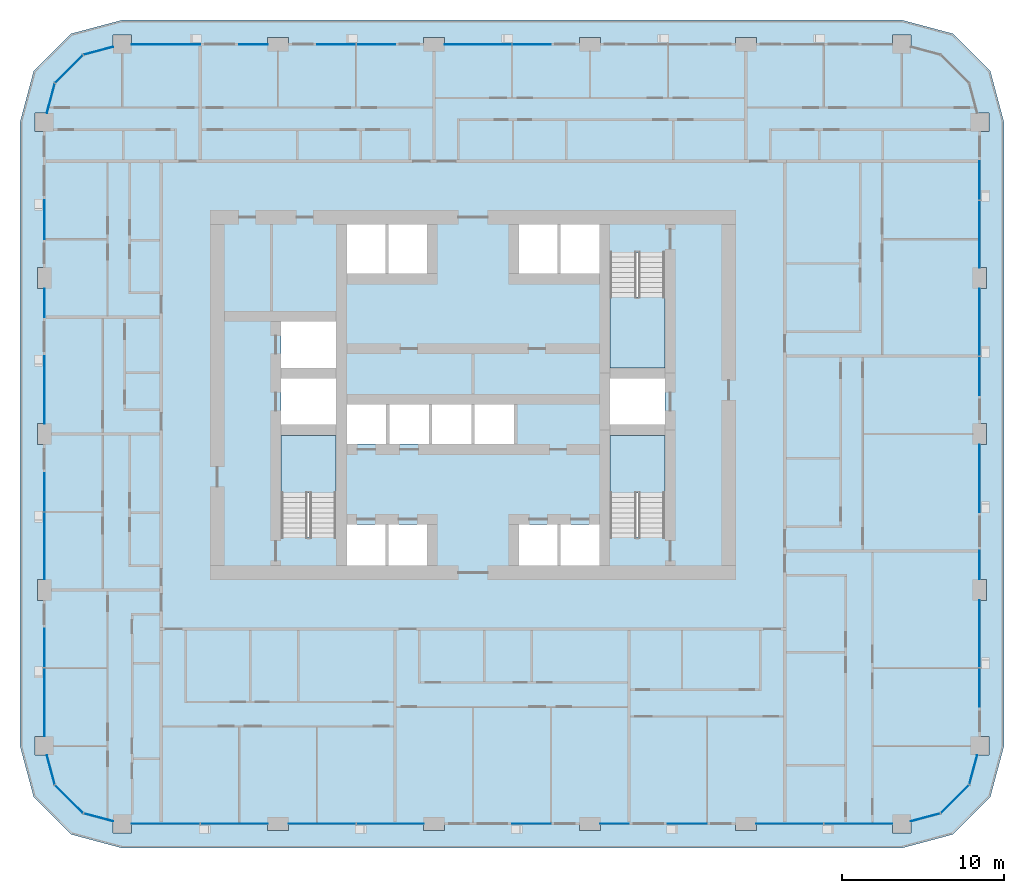
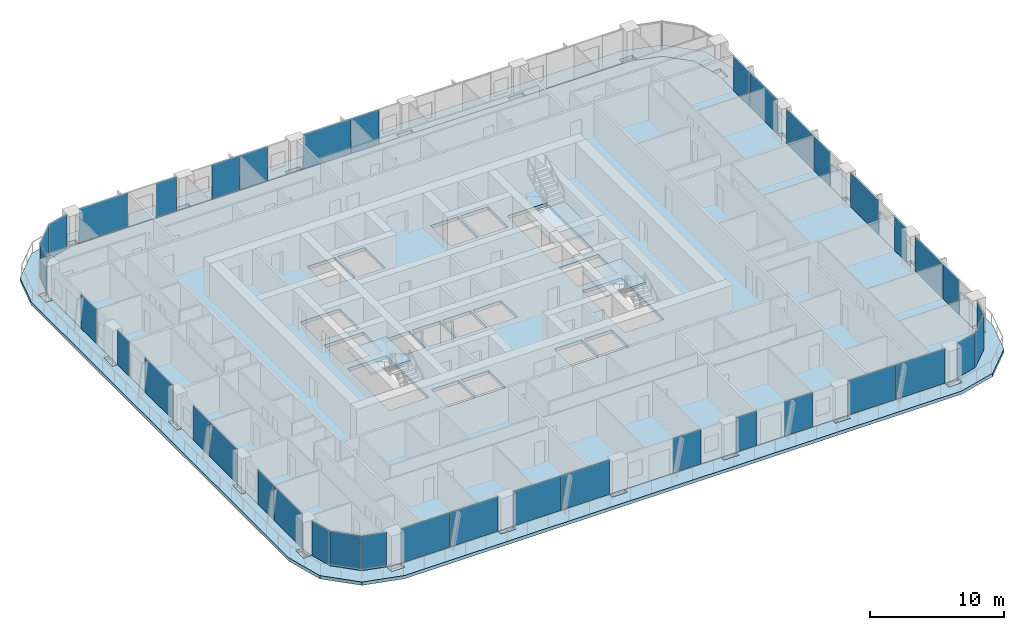
# One storey, part 7 of 22: 39 plates, 5 slabs, 22 elements without a shape of their own.
"""IFC4 building model written with IfcOpenShell, lengths in metres."""

from ifc_helpers import new_model, si_unit, direction, frame, origin, origin_2d, place, context, subcontext, project, spatial, polyline, rectangle, outline, extrude, material, layer, layer_set, type_object, element, aggregate, save


model = new_model("IFC4")

# Units and contexts
model_context = context("Model", 3, precision=1e-05, world=origin(), true_north=direction((0.0, 1.0)))
body_context = subcontext(model_context, "Body", "Model", "MODEL_VIEW")
ifc_project = project(units=[si_unit("LENGTHUNIT", "METRE"), si_unit("AREAUNIT", "SQUARE_METRE"), si_unit("VOLUMEUNIT", "CUBIC_METRE"), si_unit("PLANEANGLEUNIT", "RADIAN"), si_unit("MASSUNIT", "GRAM", prefix="KILO")], contexts=[model_context])

# Site, building, storey
site_placement = place(None, origin())
site = spatial("IfcSite", under=ifc_project, at=site_placement, CompositionType="ELEMENT")
building_placement = place(site_placement, origin())
building = spatial("IfcBuilding", under=site, at=building_placement, Name="Madar Terraces", CompositionType="ELEMENT")
storey_placement = place(building_placement, frame((0.0, 0.0, 62.800048828125)))
storey = spatial("IfcBuildingStorey", under=building, at=storey_placement, Name="L15", CompositionType="ELEMENT", Elevation=62.800048828125)

# Slabs
ifc_material_1 = material(Name="Concrete C50/60", Category="concrete")
ifc_layer_1 = layer(ifc_material_1, 0.300048828125)
ifc_layer_set_1 = layer_set([ifc_layer_1], Name="Balcony band 300")
slab_type_1 = type_object("IfcSlabType", Name="Balcony band 300", PredefinedType="FLOOR", material=ifc_layer_set_1)
slab_1_placement = place(storey_placement, frame((0.0, 0.0, -0.300048828125)))
element("IfcSlab", 1, at=slab_1_placement, inside=storey, type_object=slab_type_1, Name="Balcony band", PredefinedType="FLOOR", context=body_context, shape_type="SweptSolid", body=[
    extrude(outline(polyline([(9.60009765625, -1.5), (6.449951171875, -0.656005859375), (4.14404296875, 1.64990234375), (3.300048828125, 4.800048828125), (3.300048828125, 43.199951171875), (4.14404296875, 46.35009765625), (6.449951171875, 48.656005859375), (9.60009765625, 49.5), (57.60009765625, 49.5), (60.75, 48.656005859375), (63.055908203125, 46.35009765625), (63.89990234375, 43.199951171875), (63.89990234375, 4.800048828125), (63.055908203125, 1.64990234375), (60.75, -0.656005859375), (57.60009765625, -1.5), (9.60009765625, -1.5)]), holes=[polyline([(10.175048828125, -0.574951171875), (10.175048828125, 0.0), (18.550048828125, 0.0), (18.550048828125, -0.425048828125), (19.85009765625, -0.425048828125), (19.85009765625, 0.0), (28.14990234375, 0.0), (28.14990234375, -0.425048828125), (29.449951171875, -0.425048828125), (29.449951171875, 0.0), (37.75, 0.0), (37.75, -0.425048828125), (39.050048828125, -0.425048828125), (39.050048828125, 0.0), (47.35009765625, 0.0), (47.35009765625, -0.425048828125), (48.64990234375, -0.425048828125), (48.64990234375, 0.0), (57.02490234375, 0.0), (57.02490234375, -0.574951171875), (58.175048828125, -0.574951171875), (58.175048828125, 0.154052734375), (60.0, 0.64306640625), (61.7568359375, 2.39990234375), (62.245849609375, 4.22509765625), (62.97509765625, 4.22509765625), (62.97509765625, 5.375), (62.39990234375, 5.375), (62.39990234375, 13.75), (62.824951171875, 13.75), (62.824951171875, 15.050048828125), (62.39990234375, 15.050048828125), (62.39990234375, 23.35009765625), (62.824951171875, 23.35009765625), (62.824951171875, 24.64990234375), (62.39990234375, 24.64990234375), (62.39990234375, 32.949951171875), (62.824951171875, 32.949951171875), (62.824951171875, 34.25), (62.39990234375, 34.25), (62.39990234375, 42.625), (62.97509765625, 42.625), (62.97509765625, 43.77490234375), (62.245849609375, 43.77490234375), (61.7568359375, 45.60009765625), (60.0, 47.35693359375), (58.175048828125, 47.845947265625), (58.175048828125, 48.574951171875), (57.02490234375, 48.574951171875), (57.02490234375, 48.0), (48.64990234375, 48.0), (48.64990234375, 48.425048828125), (47.35009765625, 48.425048828125), (47.35009765625, 48.0), (39.050048828125, 48.0), (39.050048828125, 48.425048828125), (37.75, 48.425048828125), (37.75, 48.0), (29.449951171875, 48.0), (29.449951171875, 48.425048828125), (28.14990234375, 48.425048828125), (28.14990234375, 48.0), (19.85009765625, 48.0), (19.85009765625, 48.425048828125), (18.550048828125, 48.425048828125), (18.550048828125, 48.0), (10.175048828125, 48.0), (10.175048828125, 48.574951171875), (9.02490234375, 48.574951171875), (9.02490234375, 47.845947265625), (7.199951171875, 47.35693359375), (5.443115234375, 45.60009765625), (4.9541015625, 43.77490234375), (4.22509765625, 43.77490234375), (4.22509765625, 42.625), (4.800048828125, 42.625), (4.800048828125, 34.25), (4.375, 34.25), (4.375, 32.949951171875), (4.800048828125, 32.949951171875), (4.800048828125, 24.64990234375), (4.375, 24.64990234375), (4.375, 23.35009765625), (4.800048828125, 23.35009765625), (4.800048828125, 15.050048828125), (4.375, 15.050048828125), (4.375, 13.75), (4.800048828125, 13.75), (4.800048828125, 5.375), (4.22509765625, 5.375), (4.22509765625, 4.22509765625), (4.9541015625, 4.22509765625), (5.443115234375, 2.39990234375), (7.199951171875, 0.64306640625), (9.02490234375, 0.154052734375), (9.02490234375, -0.574951171875), (10.175048828125, -0.574951171875)])]), origin(), (0.0, 0.0, 1.0), 0.300048828125),
])
ifc_material_2 = material(Name="Concrete C50/60", Category="concrete")
ifc_layer_2 = layer(ifc_material_2, 0.300048828125)
ifc_layer_set_2 = layer_set([ifc_layer_2], Name="FS2 PT flat slab 300")
slab_type_2 = type_object("IfcSlabType", Name="FS2 PT flat slab 300", PredefinedType="FLOOR", material=ifc_layer_set_2)
slab_2_placement = place(storey_placement, frame((0.0, 0.0, -0.300048828125)))
element("IfcSlab", 2, at=slab_2_placement, inside=storey, type_object=slab_type_2, Name="Floor slab L15 (1)", PredefinedType="FLOOR", context=body_context, shape_type="SweptSolid", body=[
    extrude(outline(polyline([(57.60009765625, 0.0), (60.0, 0.64306640625), (61.7568359375, 2.39990234375), (62.39990234375, 4.800048828125), (62.39990234375, 43.199951171875), (61.7568359375, 45.60009765625), (60.0, 47.35693359375), (57.60009765625, 48.0), (9.60009765625, 48.0), (7.199951171875, 47.35693359375), (5.443115234375, 45.60009765625), (4.800048828125, 43.199951171875), (4.800048828125, 4.800048828125), (5.443115234375, 2.39990234375), (7.199951171875, 0.64306640625), (9.60009765625, 0.0), (57.60009765625, 0.0)]), holes=[polyline([(23.425048828125, 15.89990234375), (23.425048828125, 18.425048828125), (25.800048828125, 18.425048828125), (25.800048828125, 15.89990234375), (23.425048828125, 15.89990234375)]), polyline([(26.0, 15.89990234375), (26.0, 18.425048828125), (28.375, 18.425048828125), (28.375, 15.89990234375), (26.0, 15.89990234375)]), polyline([(19.375, 17.64990234375), (19.375, 23.925048828125), (22.77490234375, 23.925048828125), (22.77490234375, 17.64990234375), (19.375, 17.64990234375)]), polyline([(23.425048828125, 23.375), (23.425048828125, 25.824951171875), (25.85009765625, 25.824951171875), (25.85009765625, 23.375), (23.425048828125, 23.375)]), polyline([(26.050048828125, 23.375), (26.050048828125, 25.824951171875), (28.47509765625, 25.824951171875), (28.47509765625, 23.375), (26.050048828125, 23.375)]), polyline([(19.375, 24.574951171875), (19.375, 27.425048828125), (22.77490234375, 27.425048828125), (22.77490234375, 24.574951171875), (19.375, 24.574951171875)]), polyline([(19.375, 28.074951171875), (19.375, 30.925048828125), (22.77490234375, 30.925048828125), (22.77490234375, 28.074951171875), (19.375, 28.074951171875)]), polyline([(23.425048828125, 36.89990234375), (25.800048828125, 36.89990234375), (25.800048828125, 33.875), (23.425048828125, 33.875), (23.425048828125, 36.89990234375)]), polyline([(26.0, 36.89990234375), (28.375, 36.89990234375), (28.375, 33.875), (26.0, 33.875), (26.0, 36.89990234375)]), polyline([(34.02490234375, 15.89990234375), (34.02490234375, 18.425048828125), (36.39990234375, 18.425048828125), (36.39990234375, 15.89990234375), (34.02490234375, 15.89990234375)]), polyline([(36.60009765625, 15.89990234375), (36.60009765625, 18.425048828125), (38.97509765625, 18.425048828125), (38.97509765625, 15.89990234375), (36.60009765625, 15.89990234375)]), polyline([(39.625, 17.64990234375), (39.625, 23.925048828125), (43.02490234375, 23.925048828125), (43.02490234375, 17.64990234375), (39.625, 17.64990234375)]), polyline([(28.675048828125, 23.375), (28.675048828125, 25.824951171875), (31.10009765625, 25.824951171875), (31.10009765625, 23.375), (28.675048828125, 23.375)]), polyline([(31.300048828125, 23.375), (31.300048828125, 25.824951171875), (33.72509765625, 25.824951171875), (33.72509765625, 23.375), (31.300048828125, 23.375)]), polyline([(39.625, 24.574951171875), (39.625, 27.425048828125), (43.02490234375, 27.425048828125), (43.02490234375, 24.574951171875), (39.625, 24.574951171875)]), polyline([(39.625, 28.074951171875), (39.625, 35.14990234375), (43.02490234375, 35.14990234375), (43.02490234375, 28.074951171875), (39.625, 28.074951171875)]), polyline([(34.02490234375, 36.89990234375), (36.39990234375, 36.89990234375), (36.39990234375, 33.875), (34.02490234375, 33.875), (34.02490234375, 36.89990234375)]), polyline([(36.60009765625, 36.89990234375), (38.97509765625, 36.89990234375), (38.97509765625, 33.875), (36.60009765625, 33.875), (36.60009765625, 36.89990234375)])]), origin(), (0.0, 0.0, 1.0), 0.300048828125),
])

# Curtain wall, plates
ifc_material_3 = material(Name="Glass, ceramic frit dark grey, with black aluminium frame", Category="aluminium")
ifc_layer_3 = layer(ifc_material_3, 0.199951171875)
ifc_layer_set_3 = layer_set([ifc_layer_3], Name="Facade curtain wall, fritted glass")
curtain_wall_type = type_object("IfcCurtainWallType", Name="Facade curtain wall, fritted glass", PredefinedType="NOTDEFINED", material=ifc_layer_set_3)
curtain_wall_1_placement = place(storey_placement, origin())
curtain_wall_1 = element("IfcCurtainWall", 3, at=curtain_wall_1_placement, inside=storey, type_object=curtain_wall_type, Name="Outer skin curtain wall south bay 1", PredefinedType="NOTDEFINED")
ifc_material_4 = material(Name="Glass, ceramic frit dark grey", Category="glass")
ifc_layer_4 = layer(ifc_material_4, 0.028076171875)
ifc_layer_set_4 = layer_set([ifc_layer_4], Name="Facade glass panel 28")
plate_type = type_object("IfcPlateType", Name="Facade glass panel 28", PredefinedType="CURTAIN_PANEL", material=ifc_layer_set_4)
plate_1_placement = place(storey_placement, frame((12.2724609375, 0.0, 0.0), z_axis=(0.0, 0.0, 1.0), x_axis=(1.0, 0.0, 0.0)))
plate_1 = element("IfcPlate", 4, at=plate_1_placement, type_object=plate_type, Name="Panel 1", PredefinedType="CURTAIN_PANEL", context=body_context, shape_type="SweptSolid", body=[
    extrude(rectangle(XDim=4.195068359375, YDim=0.028076171875, at=origin_2d()), origin(), (0.0, 0.0, 1.0), 3.139892578125),
])
plate_2_placement = place(storey_placement, frame((16.489990234375, 0.0, 0.0), z_axis=(0.0, 0.0, 1.0), x_axis=(1.0, 0.0, 0.0)))
plate_2 = element("IfcPlate", 5, at=plate_2_placement, type_object=plate_type, Name="Panel 2", PredefinedType="CURTAIN_PANEL", context=body_context, shape_type="SweptSolid", body=[
    extrude(rectangle(XDim=4.1201171875, YDim=0.028076171875, at=origin_2d()), origin(), (0.0, 0.0, 1.0), 3.139892578125),
])
aggregate(curtain_wall_1, [plate_1, plate_2])

curtain_wall_2_placement = place(storey_placement, origin())
curtain_wall_2 = element("IfcCurtainWall", 6, at=curtain_wall_2_placement, inside=storey, type_object=curtain_wall_type, Name="Outer skin curtain wall south bay 2", PredefinedType="NOTDEFINED")
plate_3_placement = place(storey_placement, frame((21.909912109375, 0.0, 0.0), z_axis=(0.0, 0.0, 1.0), x_axis=(1.0, 0.0, 0.0)))
plate_3 = element("IfcPlate", 7, at=plate_3_placement, type_object=plate_type, Name="Panel 1", PredefinedType="CURTAIN_PANEL", context=body_context, shape_type="SweptSolid", body=[
    extrude(rectangle(XDim=4.1201171875, YDim=0.028076171875, at=origin_2d()), origin(), (0.0, 0.0, 1.0), 3.139892578125),
])
plate_4_placement = place(storey_placement, frame((26.090087890625, 0.0, 0.0), z_axis=(0.0, 0.0, 1.0), x_axis=(1.0, 0.0, 0.0)))
plate_4 = element("IfcPlate", 8, at=plate_4_placement, type_object=plate_type, Name="Panel 2", PredefinedType="CURTAIN_PANEL", context=body_context, shape_type="SweptSolid", body=[
    extrude(rectangle(XDim=4.1201171875, YDim=0.028076171875, at=origin_2d()), origin(), (0.0, 0.0, 1.0), 3.139892578125),
])
aggregate(curtain_wall_2, [plate_3, plate_4])

# Curtain wall, plate
curtain_wall_3_placement = place(storey_placement, origin())
curtain_wall_3 = element("IfcCurtainWall", 9, at=curtain_wall_3_placement, inside=storey, type_object=curtain_wall_type, Name="Outer skin curtain wall south bay 3", PredefinedType="NOTDEFINED")
plate_5_placement = place(storey_placement, frame((34.800048828125, 0.0, 0.0), z_axis=(0.0, 0.0, 1.0), x_axis=(1.0, 0.0, 0.0)))
plate_5 = element("IfcPlate", 10, at=plate_5_placement, type_object=plate_type, Name="Panel 1", PredefinedType="CURTAIN_PANEL", context=body_context, shape_type="SweptSolid", body=[
    extrude(rectangle(XDim=2.39990234375, YDim=0.028076171875, at=origin_2d()), origin(), (0.0, 0.0, 1.0), 3.139892578125),
])
aggregate(curtain_wall_3, [plate_5])

# Curtain wall, plates
curtain_wall_4_placement = place(storey_placement, origin())
curtain_wall_4 = element("IfcCurtainWall", 11, at=curtain_wall_4_placement, inside=storey, type_object=curtain_wall_type, Name="Outer skin curtain wall south bay 4", PredefinedType="NOTDEFINED")
plate_6_placement = place(storey_placement, frame((39.925048828125, 0.0, 0.0), z_axis=(0.0, 0.0, 1.0), x_axis=(1.0, 0.0, 0.0)))
plate_6 = element("IfcPlate", 12, at=plate_6_placement, type_object=plate_type, Name="Panel 1", PredefinedType="CURTAIN_PANEL", context=body_context, shape_type="SweptSolid", body=[
    extrude(rectangle(XDim=1.75, YDim=0.028076171875, at=origin_2d()), origin(), (0.0, 0.0, 1.0), 3.139892578125),
])
plate_7_placement = place(storey_placement, frame((44.39990234375, 0.0, 0.0), z_axis=(0.0, 0.0, 1.0), x_axis=(1.0, 0.0, 0.0)))
plate_7 = element("IfcPlate", 13, at=plate_7_placement, type_object=plate_type, Name="Panel 2", PredefinedType="CURTAIN_PANEL", context=body_context, shape_type="SweptSolid", body=[
    extrude(rectangle(XDim=2.39990234375, YDim=0.028076171875, at=origin_2d()), origin(), (0.0, 0.0, 1.0), 3.139892578125),
])
aggregate(curtain_wall_4, [plate_6, plate_7])

curtain_wall_5_placement = place(storey_placement, origin())
curtain_wall_5 = element("IfcCurtainWall", 14, at=curtain_wall_5_placement, inside=storey, type_object=curtain_wall_type, Name="Outer skin curtain wall south bay 5", PredefinedType="NOTDEFINED")
plate_8_placement = place(storey_placement, frame((50.7099609375, 0.0, 0.0), z_axis=(0.0, 0.0, 1.0), x_axis=(1.0, 0.0, 0.0)))
plate_8 = element("IfcPlate", 15, at=plate_8_placement, type_object=plate_type, Name="Panel 1", PredefinedType="CURTAIN_PANEL", context=body_context, shape_type="SweptSolid", body=[
    extrude(rectangle(XDim=4.1201171875, YDim=0.028076171875, at=origin_2d()), origin(), (0.0, 0.0, 1.0), 3.139892578125),
])
plate_9_placement = place(storey_placement, frame((54.927490234375, 0.0, 0.0), z_axis=(0.0, 0.0, 1.0), x_axis=(1.0, 0.0, 0.0)))
plate_9 = element("IfcPlate", 16, at=plate_9_placement, type_object=plate_type, Name="Panel 2", PredefinedType="CURTAIN_PANEL", context=body_context, shape_type="SweptSolid", body=[
    extrude(rectangle(XDim=4.195068359375, YDim=0.028076171875, at=origin_2d()), origin(), (0.0, 0.0, 1.0), 3.139892578125),
])
aggregate(curtain_wall_5, [plate_8, plate_9])

curtain_wall_6_placement = place(storey_placement, origin())
curtain_wall_6 = element("IfcCurtainWall", 17, at=curtain_wall_6_placement, inside=storey, type_object=curtain_wall_type, Name="Outer skin curtain wall east bay 1", PredefinedType="NOTDEFINED")
plate_10_placement = place(storey_placement, frame((62.39990234375, 8.385009765625, 0.0), z_axis=(0.0, 0.0, 1.0), x_axis=(0.0, 1.0, 0.0)))
plate_10 = element("IfcPlate", 18, at=plate_10_placement, type_object=plate_type, Name="Panel 1", PredefinedType="CURTAIN_PANEL", context=body_context, shape_type="SweptSolid", body=[
    extrude(rectangle(XDim=2.3701171875, YDim=0.028076171875, at=origin_2d()), origin(), (0.0, 0.0, 1.0), 3.139892578125),
])
plate_11_placement = place(storey_placement, frame((62.39990234375, 11.68994140625, 0.0), z_axis=(0.0, 0.0, 1.0), x_axis=(0.0, 1.0, 0.0)))
plate_11 = element("IfcPlate", 19, at=plate_11_placement, type_object=plate_type, Name="Panel 2", PredefinedType="CURTAIN_PANEL", context=body_context, shape_type="SweptSolid", body=[
    extrude(rectangle(XDim=4.1201171875, YDim=0.028076171875, at=origin_2d()), origin(), (0.0, 0.0, 1.0), 3.139892578125),
])
aggregate(curtain_wall_6, [plate_10, plate_11])

curtain_wall_7_placement = place(storey_placement, origin())
curtain_wall_7 = element("IfcCurtainWall", 20, at=curtain_wall_7_placement, inside=storey, type_object=curtain_wall_type, Name="Outer skin curtain wall east bay 2", PredefinedType="NOTDEFINED")
plate_12_placement = place(storey_placement, frame((62.39990234375, 15.925048828125, 0.0), z_axis=(0.0, 0.0, 1.0), x_axis=(0.0, 1.0, 0.0)))
plate_12 = element("IfcPlate", 21, at=plate_12_placement, type_object=plate_type, Name="Panel 1", PredefinedType="CURTAIN_PANEL", context=body_context, shape_type="SweptSolid", body=[
    extrude(rectangle(XDim=1.75, YDim=0.028076171875, at=origin_2d()), origin(), (0.0, 0.0, 1.0), 3.139892578125),
])
plate_13_placement = place(storey_placement, frame((62.39990234375, 21.27490234375, 0.0), z_axis=(0.0, 0.0, 1.0), x_axis=(0.0, 1.0, 0.0)))
plate_13 = element("IfcPlate", 22, at=plate_13_placement, type_object=plate_type, Name="Panel 2", PredefinedType="CURTAIN_PANEL", context=body_context, shape_type="SweptSolid", body=[
    extrude(rectangle(XDim=4.14990234375, YDim=0.028076171875, at=origin_2d()), origin(), (0.0, 0.0, 1.0), 3.139892578125),
])
aggregate(curtain_wall_7, [plate_12, plate_13])

curtain_wall_8_placement = place(storey_placement, origin())
curtain_wall_8 = element("IfcCurtainWall", 23, at=curtain_wall_8_placement, inside=storey, type_object=curtain_wall_type, Name="Outer skin curtain wall east bay 3", PredefinedType="NOTDEFINED")
plate_14_placement = place(storey_placement, frame((62.39990234375, 27.5849609375, 0.0), z_axis=(0.0, 0.0, 1.0), x_axis=(0.0, 1.0, 0.0)))
plate_14 = element("IfcPlate", 24, at=plate_14_placement, type_object=plate_type, Name="Panel 1", PredefinedType="CURTAIN_PANEL", context=body_context, shape_type="SweptSolid", body=[
    extrude(rectangle(XDim=2.3701171875, YDim=0.028076171875, at=origin_2d()), origin(), (0.0, 0.0, 1.0), 3.139892578125),
])
plate_15_placement = place(storey_placement, frame((62.39990234375, 30.889892578125, 0.0), z_axis=(0.0, 0.0, 1.0), x_axis=(0.0, 1.0, 0.0)))
plate_15 = element("IfcPlate", 25, at=plate_15_placement, type_object=plate_type, Name="Panel 2", PredefinedType="CURTAIN_PANEL", context=body_context, shape_type="SweptSolid", body=[
    extrude(rectangle(XDim=4.1201171875, YDim=0.028076171875, at=origin_2d()), origin(), (0.0, 0.0, 1.0), 3.139892578125),
])
aggregate(curtain_wall_8, [plate_14, plate_15])

curtain_wall_9_placement = place(storey_placement, origin())
curtain_wall_9 = element("IfcCurtainWall", 26, at=curtain_wall_9_placement, inside=storey, type_object=curtain_wall_type, Name="Outer skin curtain wall east bay 4", PredefinedType="NOTDEFINED")
plate_16_placement = place(storey_placement, frame((62.39990234375, 36.31005859375, 0.0), z_axis=(0.0, 0.0, 1.0), x_axis=(0.0, 1.0, 0.0)))
plate_16 = element("IfcPlate", 27, at=plate_16_placement, type_object=plate_type, Name="Panel 1", PredefinedType="CURTAIN_PANEL", context=body_context, shape_type="SweptSolid", body=[
    extrude(rectangle(XDim=4.1201171875, YDim=0.028076171875, at=origin_2d()), origin(), (0.0, 0.0, 1.0), 3.139892578125),
])
plate_17_placement = place(storey_placement, frame((62.39990234375, 39.614990234375, 0.0), z_axis=(0.0, 0.0, 1.0), x_axis=(0.0, 1.0, 0.0)))
plate_17 = element("IfcPlate", 28, at=plate_17_placement, type_object=plate_type, Name="Panel 2", PredefinedType="CURTAIN_PANEL", context=body_context, shape_type="SweptSolid", body=[
    extrude(rectangle(XDim=2.3701171875, YDim=0.028076171875, at=origin_2d()), origin(), (0.0, 0.0, 1.0), 3.139892578125),
])
aggregate(curtain_wall_9, [plate_16, plate_17])

curtain_wall_10_placement = place(storey_placement, origin())
curtain_wall_10 = element("IfcCurtainWall", 29, at=curtain_wall_10_placement, inside=storey, type_object=curtain_wall_type, Name="Outer skin curtain wall north bay 3", PredefinedType="NOTDEFINED")
plate_18_placement = place(storey_placement, frame((34.81494140625, 48.0, 0.0), z_axis=(0.0, 0.0, 1.0), x_axis=(-1.0, 0.0, 0.0)))
plate_18 = element("IfcPlate", 30, at=plate_18_placement, type_object=plate_type, Name="Panel 1", PredefinedType="CURTAIN_PANEL", context=body_context, shape_type="SweptSolid", body=[
    extrude(rectangle(XDim=2.3701171875, YDim=0.028076171875, at=origin_2d()), origin(), (0.0, 0.0, 1.0), 3.139892578125),
])
plate_19_placement = place(storey_placement, frame((31.510009765625, 48.0, 0.0), z_axis=(0.0, 0.0, 1.0), x_axis=(-1.0, 0.0, 0.0)))
plate_19 = element("IfcPlate", 31, at=plate_19_placement, type_object=plate_type, Name="Panel 2", PredefinedType="CURTAIN_PANEL", context=body_context, shape_type="SweptSolid", body=[
    extrude(rectangle(XDim=4.1201171875, YDim=0.028076171875, at=origin_2d()), origin(), (0.0, 0.0, 1.0), 3.139892578125),
])
aggregate(curtain_wall_10, [plate_18, plate_19])

curtain_wall_11_placement = place(storey_placement, origin())
curtain_wall_11 = element("IfcCurtainWall", 32, at=curtain_wall_11_placement, inside=storey, type_object=curtain_wall_type, Name="Outer skin curtain wall north bay 4", PredefinedType="NOTDEFINED")
plate_20_placement = place(storey_placement, frame((25.215087890625, 48.0, 0.0), z_axis=(0.0, 0.0, 1.0), x_axis=(-1.0, 0.0, 0.0)))
plate_20 = element("IfcPlate", 33, at=plate_20_placement, type_object=plate_type, Name="Panel 1", PredefinedType="CURTAIN_PANEL", context=body_context, shape_type="SweptSolid", body=[
    extrude(rectangle(XDim=2.3701171875, YDim=0.028076171875, at=origin_2d()), origin(), (0.0, 0.0, 1.0), 3.139892578125),
])
plate_21_placement = place(storey_placement, frame((22.784912109375, 48.0, 0.0), z_axis=(0.0, 0.0, 1.0), x_axis=(-1.0, 0.0, 0.0)))
plate_21 = element("IfcPlate", 34, at=plate_21_placement, type_object=plate_type, Name="Panel 2", PredefinedType="CURTAIN_PANEL", context=body_context, shape_type="SweptSolid", body=[
    extrude(rectangle(XDim=2.3701171875, YDim=0.028076171875, at=origin_2d()), origin(), (0.0, 0.0, 1.0), 3.139892578125),
])
aggregate(curtain_wall_11, [plate_20, plate_21])

curtain_wall_12_placement = place(storey_placement, origin())
curtain_wall_12 = element("IfcCurtainWall", 35, at=curtain_wall_12_placement, inside=storey, type_object=curtain_wall_type, Name="Outer skin curtain wall north bay 5", PredefinedType="NOTDEFINED")
plate_22_placement = place(storey_placement, frame((17.675048828125, 48.0, 0.0), z_axis=(0.0, 0.0, 1.0), x_axis=(-1.0, 0.0, 0.0)))
plate_22 = element("IfcPlate", 36, at=plate_22_placement, type_object=plate_type, Name="Panel 1", PredefinedType="CURTAIN_PANEL", context=body_context, shape_type="SweptSolid", body=[
    extrude(rectangle(XDim=1.75, YDim=0.028076171875, at=origin_2d()), origin(), (0.0, 0.0, 1.0), 3.139892578125),
])
plate_23_placement = place(storey_placement, frame((12.28759765625, 48.0, 0.0), z_axis=(0.0, 0.0, 1.0), x_axis=(-1.0, 0.0, 0.0)))
plate_23 = element("IfcPlate", 37, at=plate_23_placement, type_object=plate_type, Name="Panel 2", PredefinedType="CURTAIN_PANEL", context=body_context, shape_type="SweptSolid", body=[
    extrude(rectangle(XDim=4.22509765625, YDim=0.028076171875, at=origin_2d()), origin(), (0.0, 0.0, 1.0), 3.139892578125),
])
aggregate(curtain_wall_12, [plate_22, plate_23])

# Curtain wall, plate
curtain_wall_13_placement = place(storey_placement, origin())
curtain_wall_13 = element("IfcCurtainWall", 38, at=curtain_wall_13_placement, inside=storey, type_object=curtain_wall_type, Name="Outer skin curtain wall west bay 1", PredefinedType="NOTDEFINED")
plate_24_placement = place(storey_placement, frame((4.800048828125, 37.199951171875, 0.0), z_axis=(0.0, 0.0, 1.0), x_axis=(0.0, -1.0, 0.0)))
plate_24 = element("IfcPlate", 39, at=plate_24_placement, type_object=plate_type, Name="Panel 1", PredefinedType="CURTAIN_PANEL", context=body_context, shape_type="SweptSolid", body=[
    extrude(rectangle(XDim=2.39990234375, YDim=0.028076171875, at=origin_2d()), origin(), (0.0, 0.0, 1.0), 3.139892578125),
])
aggregate(curtain_wall_13, [plate_24])

# Curtain wall, plates
curtain_wall_14_placement = place(storey_placement, origin())
curtain_wall_14 = element("IfcCurtainWall", 40, at=curtain_wall_14_placement, inside=storey, type_object=curtain_wall_type, Name="Outer skin curtain wall west bay 2", PredefinedType="NOTDEFINED")
plate_25_placement = place(storey_placement, frame((4.800048828125, 32.074951171875, 0.0), z_axis=(0.0, 0.0, 1.0), x_axis=(0.0, -1.0, 0.0)))
plate_25 = element("IfcPlate", 41, at=plate_25_placement, type_object=plate_type, Name="Panel 1", PredefinedType="CURTAIN_PANEL", context=body_context, shape_type="SweptSolid", body=[
    extrude(rectangle(XDim=1.75, YDim=0.028076171875, at=origin_2d()), origin(), (0.0, 0.0, 1.0), 3.139892578125),
])
plate_26_placement = place(storey_placement, frame((4.800048828125, 26.72509765625, 0.0), z_axis=(0.0, 0.0, 1.0), x_axis=(0.0, -1.0, 0.0)))
plate_26 = element("IfcPlate", 42, at=plate_26_placement, type_object=plate_type, Name="Panel 2", PredefinedType="CURTAIN_PANEL", context=body_context, shape_type="SweptSolid", body=[
    extrude(rectangle(XDim=4.14990234375, YDim=0.028076171875, at=origin_2d()), origin(), (0.0, 0.0, 1.0), 3.139892578125),
])
aggregate(curtain_wall_14, [plate_25, plate_26])

curtain_wall_15_placement = place(storey_placement, origin())
curtain_wall_15 = element("IfcCurtainWall", 43, at=curtain_wall_15_placement, inside=storey, type_object=curtain_wall_type, Name="Outer skin curtain wall west bay 3", PredefinedType="NOTDEFINED")
plate_27_placement = place(storey_placement, frame((4.800048828125, 20.4150390625, 0.0), z_axis=(0.0, 0.0, 1.0), x_axis=(0.0, -1.0, 0.0)))
plate_27 = element("IfcPlate", 44, at=plate_27_placement, type_object=plate_type, Name="Panel 1", PredefinedType="CURTAIN_PANEL", context=body_context, shape_type="SweptSolid", body=[
    extrude(rectangle(XDim=2.3701171875, YDim=0.028076171875, at=origin_2d()), origin(), (0.0, 0.0, 1.0), 3.139892578125),
])
plate_28_placement = place(storey_placement, frame((4.800048828125, 17.110107421875, 0.0), z_axis=(0.0, 0.0, 1.0), x_axis=(0.0, -1.0, 0.0)))
plate_28 = element("IfcPlate", 45, at=plate_28_placement, type_object=plate_type, Name="Panel 2", PredefinedType="CURTAIN_PANEL", context=body_context, shape_type="SweptSolid", body=[
    extrude(rectangle(XDim=4.1201171875, YDim=0.028076171875, at=origin_2d()), origin(), (0.0, 0.0, 1.0), 3.139892578125),
])
aggregate(curtain_wall_15, [plate_27, plate_28])

curtain_wall_16_placement = place(storey_placement, origin())
curtain_wall_16 = element("IfcCurtainWall", 46, at=curtain_wall_16_placement, inside=storey, type_object=curtain_wall_type, Name="Outer skin curtain wall west bay 4", PredefinedType="NOTDEFINED")
plate_29_placement = place(storey_placement, frame((4.800048828125, 10.81494140625, 0.0), z_axis=(0.0, 0.0, 1.0), x_axis=(0.0, -1.0, 0.0)))
plate_29 = element("IfcPlate", 47, at=plate_29_placement, type_object=plate_type, Name="Panel 1", PredefinedType="CURTAIN_PANEL", context=body_context, shape_type="SweptSolid", body=[
    extrude(rectangle(XDim=2.3701171875, YDim=0.028076171875, at=origin_2d()), origin(), (0.0, 0.0, 1.0), 3.139892578125),
])
plate_30_placement = place(storey_placement, frame((4.800048828125, 7.472412109375, 0.0), z_axis=(0.0, 0.0, 1.0), x_axis=(0.0, -1.0, 0.0)))
plate_30 = element("IfcPlate", 48, at=plate_30_placement, type_object=plate_type, Name="Panel 2", PredefinedType="CURTAIN_PANEL", context=body_context, shape_type="SweptSolid", body=[
    extrude(rectangle(XDim=4.195068359375, YDim=0.028076171875, at=origin_2d()), origin(), (0.0, 0.0, 1.0), 3.139892578125),
])
aggregate(curtain_wall_16, [plate_29, plate_30])

curtain_wall_17_placement = place(storey_placement, origin())
curtain_wall_17 = element("IfcCurtainWall", 49, at=curtain_wall_17_placement, inside=storey, type_object=curtain_wall_type, Name="Outer skin curtain wall south-east corner", PredefinedType="NOTDEFINED")
plate_31_placement = place(storey_placement, frame((59.072998046875, 0.394775390625, 0.0), z_axis=(0.0, 0.0, 1.0), x_axis=(0.965925832509, 0.258819021888, 0.0)))
plate_31 = element("IfcPlate", 50, at=plate_31_placement, type_object=plate_type, Name="Panel 1", PredefinedType="CURTAIN_PANEL", context=body_context, shape_type="SweptSolid", body=[
    extrude(rectangle(XDim=1.859375, YDim=0.028076171875, at=origin_2d()), origin(), (0.0, 0.0, 1.0), 3.139892578125),
])
plate_32_placement = place(storey_placement, frame((60.87841796875, 1.521484375, 0.0), z_axis=(0.0, 0.0, 1.0), x_axis=(0.707106781187, 0.707106781187, 0.0)))
plate_32 = element("IfcPlate", 51, at=plate_32_placement, type_object=plate_type, Name="Panel 2", PredefinedType="CURTAIN_PANEL", context=body_context, shape_type="SweptSolid", body=[
    extrude(rectangle(XDim=2.424560546875, YDim=0.028076171875, at=origin_2d()), origin(), (0.0, 0.0, 1.0), 3.139892578125),
])
plate_33_placement = place(storey_placement, frame((62.00537109375, 3.326904296875, 0.0), z_axis=(0.0, 0.0, 1.0), x_axis=(0.258819021888, 0.965925832509, 0.0)))
plate_33 = element("IfcPlate", 52, at=plate_33_placement, type_object=plate_type, Name="Panel 3", PredefinedType="CURTAIN_PANEL", context=body_context, shape_type="SweptSolid", body=[
    extrude(rectangle(XDim=1.859375, YDim=0.028076171875, at=origin_2d()), origin(), (0.0, 0.0, 1.0), 3.139892578125),
])
aggregate(curtain_wall_17, [plate_31, plate_32, plate_33])

curtain_wall_18_placement = place(storey_placement, origin())
curtain_wall_18 = element("IfcCurtainWall", 53, at=curtain_wall_18_placement, inside=storey, type_object=curtain_wall_type, Name="Outer skin curtain wall north-west corner", PredefinedType="NOTDEFINED")
plate_34_placement = place(storey_placement, frame((8.126953125, 47.605224609375, 0.0), z_axis=(0.0, 0.0, 1.0), x_axis=(-0.965925832509, -0.258819021888, 0.0)))
plate_34 = element("IfcPlate", 54, at=plate_34_placement, type_object=plate_type, Name="Panel 1", PredefinedType="CURTAIN_PANEL", context=body_context, shape_type="SweptSolid", body=[
    extrude(rectangle(XDim=1.859375, YDim=0.028076171875, at=origin_2d()), origin(), (0.0, 0.0, 1.0), 3.139892578125),
])
plate_35_placement = place(storey_placement, frame((6.321533203125, 46.478515625, 0.0), z_axis=(0.0, 0.0, 1.0), x_axis=(-0.707106781187, -0.707106781187, 0.0)))
plate_35 = element("IfcPlate", 55, at=plate_35_placement, type_object=plate_type, Name="Panel 2", PredefinedType="CURTAIN_PANEL", context=body_context, shape_type="SweptSolid", body=[
    extrude(rectangle(XDim=2.424560546875, YDim=0.028076171875, at=origin_2d()), origin(), (0.0, 0.0, 1.0), 3.139892578125),
])
plate_36_placement = place(storey_placement, frame((5.194580078125, 44.673095703125, 0.0), z_axis=(0.0, 0.0, 1.0), x_axis=(-0.258819021888, -0.965925832509, 0.0)))
plate_36 = element("IfcPlate", 56, at=plate_36_placement, type_object=plate_type, Name="Panel 3", PredefinedType="CURTAIN_PANEL", context=body_context, shape_type="SweptSolid", body=[
    extrude(rectangle(XDim=1.859375, YDim=0.028076171875, at=origin_2d()), origin(), (0.0, 0.0, 1.0), 3.139892578125),
])
aggregate(curtain_wall_18, [plate_34, plate_35, plate_36])

curtain_wall_19_placement = place(storey_placement, origin())
curtain_wall_19 = element("IfcCurtainWall", 57, at=curtain_wall_19_placement, inside=storey, type_object=curtain_wall_type, Name="Outer skin curtain wall south-west corner", PredefinedType="NOTDEFINED")
plate_37_placement = place(storey_placement, frame((5.194580078125, 3.326904296875, 0.0), z_axis=(0.0, 0.0, 1.0), x_axis=(0.258819021888, -0.965925832509, 0.0)))
plate_37 = element("IfcPlate", 58, at=plate_37_placement, type_object=plate_type, Name="Panel 1", PredefinedType="CURTAIN_PANEL", context=body_context, shape_type="SweptSolid", body=[
    extrude(rectangle(XDim=1.859375, YDim=0.028076171875, at=origin_2d()), origin(), (0.0, 0.0, 1.0), 3.139892578125),
])
plate_38_placement = place(storey_placement, frame((6.321533203125, 1.521484375, 0.0), z_axis=(0.0, 0.0, 1.0), x_axis=(0.707106781187, -0.707106781187, 0.0)))
plate_38 = element("IfcPlate", 59, at=plate_38_placement, type_object=plate_type, Name="Panel 2", PredefinedType="CURTAIN_PANEL", context=body_context, shape_type="SweptSolid", body=[
    extrude(rectangle(XDim=2.424560546875, YDim=0.028076171875, at=origin_2d()), origin(), (0.0, 0.0, 1.0), 3.139892578125),
])
plate_39_placement = place(storey_placement, frame((8.126953125, 0.394775390625, 0.0), z_axis=(0.0, 0.0, 1.0), x_axis=(0.965925832509, -0.258819021888, 0.0)))
plate_39 = element("IfcPlate", 60, at=plate_39_placement, type_object=plate_type, Name="Panel 3", PredefinedType="CURTAIN_PANEL", context=body_context, shape_type="SweptSolid", body=[
    extrude(rectangle(XDim=1.859375, YDim=0.028076171875, at=origin_2d()), origin(), (0.0, 0.0, 1.0), 3.139892578125),
])
aggregate(curtain_wall_19, [plate_37, plate_38, plate_39])

# Stair, slab
ifc_material_5 = material(Name="Concrete C50/60", Category="concrete")
stair_type_1 = type_object("IfcStairType", Name="Stair ST1 protected exit", PredefinedType="HALF_TURN_STAIR", material=ifc_material_5)
stair_1_placement = place(storey_placement, origin())
stair_1 = element("IfcStair", 61, at=stair_1_placement, inside=storey, type_object=stair_type_1, Name="L15 Protected Exit Stair ST1", PredefinedType="HALF_TURN_STAIR")
ifc_material_6 = material(Name="Concrete C50/60", Category="concrete")
ifc_layer_5 = layer(ifc_material_6, 0.199951171875)
ifc_layer_set_5 = layer_set([ifc_layer_5], Name="Stair landing 200, top +1.75")
slab_type_3 = type_object("IfcSlabType", Name="Stair landing 200, top +1.75", PredefinedType="LANDING", material=ifc_layer_set_5)
slab_3_placement = place(storey_placement, frame((0.0, 0.0, 1.550048828125)))
slab_3 = element("IfcSlab", 62, at=slab_3_placement, type_object=slab_type_3, Name="ST1 landing 1", PredefinedType="LANDING", context=body_context, shape_type="SweptSolid", body=[
    extrude(outline(polyline([(19.375, 20.360107421875), (22.77490234375, 20.360107421875), (22.77490234375, 23.925048828125), (19.375, 23.925048828125), (19.375, 20.360107421875)])), origin(), (0.0, 0.0, 1.0), 0.199951171875),
])
aggregate(stair_1, [slab_3])

ifc_material_7 = material(Name="Concrete C50/60", Category="concrete")
stair_type_2 = type_object("IfcStairType", Name="Stair ST2 protected exit", PredefinedType="HALF_TURN_STAIR", material=ifc_material_7)
stair_2_placement = place(storey_placement, origin())
stair_2 = element("IfcStair", 63, at=stair_2_placement, inside=storey, type_object=stair_type_2, Name="L15 Protected Exit Stair ST2", PredefinedType="HALF_TURN_STAIR")
slab_4_placement = place(storey_placement, frame((0.0, 0.0, 1.550048828125)))
slab_4 = element("IfcSlab", 64, at=slab_4_placement, type_object=slab_type_3, Name="ST2 landing 1", PredefinedType="LANDING", context=body_context, shape_type="SweptSolid", body=[
    extrude(outline(polyline([(39.625, 28.074951171875), (43.02490234375, 28.074951171875), (43.02490234375, 32.43994140625), (39.625, 32.43994140625), (39.625, 28.074951171875)])), origin(), (0.0, 0.0, 1.0), 0.199951171875),
])
aggregate(stair_2, [slab_4])

ifc_material_8 = material(Name="Concrete C50/60", Category="concrete")
stair_type_3 = type_object("IfcStairType", Name="Stair ST3 protected exit", PredefinedType="HALF_TURN_STAIR", material=ifc_material_8)
stair_3_placement = place(storey_placement, origin())
stair_3 = element("IfcStair", 65, at=stair_3_placement, inside=storey, type_object=stair_type_3, Name="L15 Protected Exit Stair ST3", PredefinedType="HALF_TURN_STAIR")
slab_5_placement = place(storey_placement, frame((0.0, 0.0, 1.550048828125)))
slab_5 = element("IfcSlab", 66, at=slab_5_placement, type_object=slab_type_3, Name="ST3 landing 1", PredefinedType="LANDING", context=body_context, shape_type="SweptSolid", body=[
    extrude(outline(polyline([(39.625, 20.360107421875), (43.02490234375, 20.360107421875), (43.02490234375, 23.925048828125), (39.625, 23.925048828125), (39.625, 20.360107421875)])), origin(), (0.0, 0.0, 1.0), 0.199951171875),
])
aggregate(stair_3, [slab_5])

save(model, "model.ifc")
